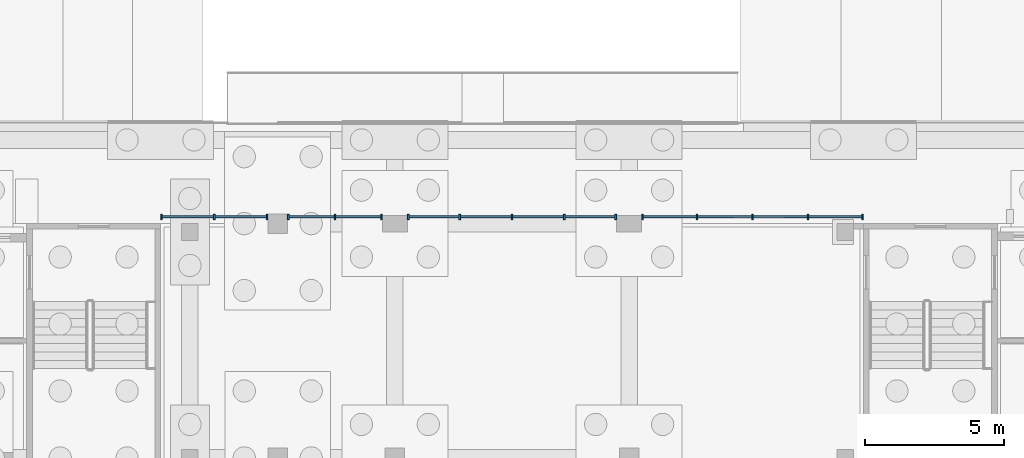
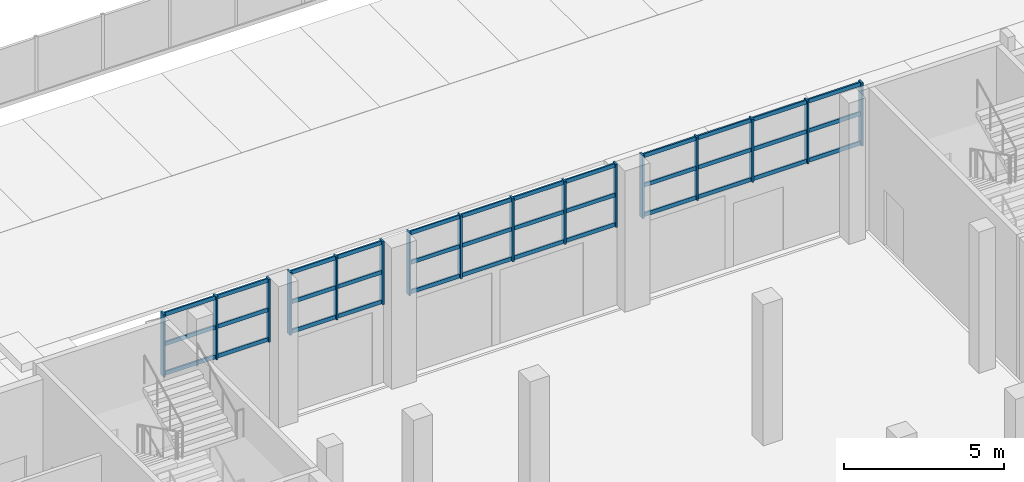
# One storey, part 22 of 129: 52 members, 4 elements without a shape of their own.
"""IFC4 building model written with IfcOpenShell, lengths in metres."""

from ifc_helpers import new_model, si_unit, direction, frame, origin, origin_2d, place, context, subcontext, project, spatial, rectangle, extrude, material, layer, layer_set, material_profile, profile_set, type_object, element, aggregate, save


model = new_model("IFC4")

# Units and contexts
model_context = context("Model", 3, precision=1e-05, world=origin(), true_north=direction((0.0, 1.0)))
body_context = subcontext(model_context, "Body", "Model", "MODEL_VIEW")
ifc_project = project(units=[si_unit("LENGTHUNIT", "METRE"), si_unit("AREAUNIT", "SQUARE_METRE"), si_unit("VOLUMEUNIT", "CUBIC_METRE"), si_unit("PLANEANGLEUNIT", "RADIAN"), si_unit("MASSUNIT", "GRAM", prefix="KILO")], contexts=[model_context])

# Site, building, storey
site_placement = place(None, origin())
site = spatial("IfcSite", under=ifc_project, at=site_placement, CompositionType="ELEMENT")
building_placement = place(site_placement, origin())
building = spatial("IfcBuilding", under=site, at=building_placement, Name="Kiln Court Media Centre", CompositionType="ELEMENT")
storey_placement = place(building_placement, origin())
storey = spatial("IfcBuildingStorey", under=building, at=storey_placement, Name="L00", CompositionType="ELEMENT", Elevation=0.0)

# Curtain wall, members
ifc_material_1 = material(Name="Aluminium 6063-T6", Category="aluminium")
ifc_layer = layer(ifc_material_1, 0.1201171875)
ifc_layer_set = layer_set([ifc_layer], Name="Aluminium stick curtain wall, foyer")
curtain_wall_type = type_object("IfcCurtainWallType", Name="Aluminium stick curtain wall, foyer", PredefinedType="USERDEFINED", material=ifc_layer_set)
curtain_wall_1_placement = place(storey_placement, origin())
curtain_wall_1 = element("IfcCurtainWall", 1, at=curtain_wall_1_placement, inside=storey, type_object=curtain_wall_type, Name="Foyer north glazing L00", ObjectType="STICK CURTAIN WALL", PredefinedType="USERDEFINED")
ifc_material_2 = material(Name="Aluminium 6063-T6", Category="aluminium")
ifc_material_profile_1 = material_profile(ifc_material_2, rectangle(XDim=0.06005859375, YDim=0.199951171875, at=origin_2d()), Name="Aluminium hall mullion 60x200")
ifc_profile_set_1 = profile_set([ifc_material_profile_1], Name="Aluminium 6063-T6")
member_type_1 = type_object("IfcMemberType", Name="Aluminium hall mullion 60x200", PredefinedType="MULLION", material=ifc_profile_set_1)
member_1_placement = place(storey_placement, frame((33.6298828125, 67.444580078125, 3.0), z_axis=(0.0, 0.0, 1.0), x_axis=(1.0, 0.0, 0.0)))
member_1 = element("IfcMember", 2, at=member_1_placement, type_object=member_type_1, Name="CW0-60 mullion 1", PredefinedType="MULLION", context=body_context, shape_type="SweptSolid", body=[
    extrude(rectangle(XDim=0.06005859375, YDim=0.199951171875, at=origin_2d()), origin(), (0.0, 0.0, 1.0), 2.39990234375),
])
member_2_placement = place(storey_placement, frame((35.52490234375, 67.444580078125, 3.0), z_axis=(0.0, 0.0, 1.0), x_axis=(1.0, 0.0, 0.0)))
member_2 = element("IfcMember", 3, at=member_2_placement, type_object=member_type_1, Name="CW0-60 mullion 2", PredefinedType="MULLION", context=body_context, shape_type="SweptSolid", body=[
    extrude(rectangle(XDim=0.06005859375, YDim=0.199951171875, at=origin_2d()), origin(), (0.0, 0.0, 1.0), 2.39990234375),
])
member_3_placement = place(storey_placement, frame((37.419921875, 67.444580078125, 3.0), z_axis=(0.0, 0.0, 1.0), x_axis=(1.0, 0.0, 0.0)))
member_3 = element("IfcMember", 4, at=member_3_placement, type_object=member_type_1, Name="CW0-60 mullion 3", PredefinedType="MULLION", context=body_context, shape_type="SweptSolid", body=[
    extrude(rectangle(XDim=0.06005859375, YDim=0.199951171875, at=origin_2d()), origin(), (0.0, 0.0, 1.0), 2.39990234375),
])

curtain_wall_2_placement = place(storey_placement, origin())
curtain_wall_2 = element("IfcCurtainWall", 5, at=curtain_wall_2_placement, inside=storey, type_object=curtain_wall_type, Name="Foyer north glazing L00", ObjectType="STICK CURTAIN WALL", PredefinedType="USERDEFINED")
member_4_placement = place(storey_placement, frame((38.179931640625, 67.444580078125, 3.0), z_axis=(0.0, 0.0, 1.0), x_axis=(1.0, 0.0, 0.0)))
member_4 = element("IfcMember", 6, at=member_4_placement, type_object=member_type_1, Name="CW0-61 mullion 1", PredefinedType="MULLION", context=body_context, shape_type="SweptSolid", body=[
    extrude(rectangle(XDim=0.06005859375, YDim=0.199951171875, at=origin_2d()), origin(), (0.0, 0.0, 1.0), 2.39990234375),
])
member_5_placement = place(storey_placement, frame((39.85009765625, 67.444580078125, 3.0), z_axis=(0.0, 0.0, 1.0), x_axis=(1.0, 0.0, 0.0)))
member_5 = element("IfcMember", 7, at=member_5_placement, type_object=member_type_1, Name="CW0-61 mullion 2", PredefinedType="MULLION", context=body_context, shape_type="SweptSolid", body=[
    extrude(rectangle(XDim=0.06005859375, YDim=0.199951171875, at=origin_2d()), origin(), (0.0, 0.0, 1.0), 2.39990234375),
])
member_6_placement = place(storey_placement, frame((41.52001953125, 67.444580078125, 3.0), z_axis=(0.0, 0.0, 1.0), x_axis=(1.0, 0.0, 0.0)))
member_6 = element("IfcMember", 8, at=member_6_placement, type_object=member_type_1, Name="CW0-61 mullion 3", PredefinedType="MULLION", context=body_context, shape_type="SweptSolid", body=[
    extrude(rectangle(XDim=0.06005859375, YDim=0.199951171875, at=origin_2d()), origin(), (0.0, 0.0, 1.0), 2.39990234375),
])

curtain_wall_3_placement = place(storey_placement, origin())
curtain_wall_3 = element("IfcCurtainWall", 9, at=curtain_wall_3_placement, inside=storey, type_object=curtain_wall_type, Name="Foyer north glazing L00", ObjectType="STICK CURTAIN WALL", PredefinedType="USERDEFINED")
member_7_placement = place(storey_placement, frame((42.47998046875, 67.444580078125, 3.0), z_axis=(0.0, 0.0, 1.0), x_axis=(1.0, 0.0, 0.0)))
member_7 = element("IfcMember", 10, at=member_7_placement, type_object=member_type_1, Name="CW0-62 mullion 1", PredefinedType="MULLION", context=body_context, shape_type="SweptSolid", body=[
    extrude(rectangle(XDim=0.06005859375, YDim=0.199951171875, at=origin_2d()), origin(), (0.0, 0.0, 1.0), 2.39990234375),
])
member_8_placement = place(storey_placement, frame((44.324951171875, 67.444580078125, 3.0), z_axis=(0.0, 0.0, 1.0), x_axis=(1.0, 0.0, 0.0)))
member_8 = element("IfcMember", 11, at=member_8_placement, type_object=member_type_1, Name="CW0-62 mullion 2", PredefinedType="MULLION", context=body_context, shape_type="SweptSolid", body=[
    extrude(rectangle(XDim=0.06005859375, YDim=0.199951171875, at=origin_2d()), origin(), (0.0, 0.0, 1.0), 2.39990234375),
])
member_9_placement = place(storey_placement, frame((46.199951171875, 67.444580078125, 3.0), z_axis=(0.0, 0.0, 1.0), x_axis=(1.0, 0.0, 0.0)))
member_9 = element("IfcMember", 12, at=member_9_placement, type_object=member_type_1, Name="CW0-62 mullion 3", PredefinedType="MULLION", context=body_context, shape_type="SweptSolid", body=[
    extrude(rectangle(XDim=0.06005859375, YDim=0.199951171875, at=origin_2d()), origin(), (0.0, 0.0, 1.0), 2.39990234375),
])
member_10_placement = place(storey_placement, frame((48.074951171875, 67.444580078125, 3.0), z_axis=(0.0, 0.0, 1.0), x_axis=(1.0, 0.0, 0.0)))
member_10 = element("IfcMember", 13, at=member_10_placement, type_object=member_type_1, Name="CW0-62 mullion 4", PredefinedType="MULLION", context=body_context, shape_type="SweptSolid", body=[
    extrude(rectangle(XDim=0.06005859375, YDim=0.199951171875, at=origin_2d()), origin(), (0.0, 0.0, 1.0), 2.39990234375),
])
member_11_placement = place(storey_placement, frame((49.919921875, 67.444580078125, 3.0), z_axis=(0.0, 0.0, 1.0), x_axis=(1.0, 0.0, 0.0)))
member_11 = element("IfcMember", 14, at=member_11_placement, type_object=member_type_1, Name="CW0-62 mullion 5", PredefinedType="MULLION", context=body_context, shape_type="SweptSolid", body=[
    extrude(rectangle(XDim=0.06005859375, YDim=0.199951171875, at=origin_2d()), origin(), (0.0, 0.0, 1.0), 2.39990234375),
])

curtain_wall_4_placement = place(storey_placement, origin())
curtain_wall_4 = element("IfcCurtainWall", 15, at=curtain_wall_4_placement, inside=storey, type_object=curtain_wall_type, Name="Foyer north glazing L00", ObjectType="STICK CURTAIN WALL", PredefinedType="USERDEFINED")
member_12_placement = place(storey_placement, frame((50.8798828125, 67.444580078125, 3.0), z_axis=(0.0, 0.0, 1.0), x_axis=(1.0, 0.0, 0.0)))
member_12 = element("IfcMember", 16, at=member_12_placement, type_object=member_type_1, Name="CW0-63 mullion 1", PredefinedType="MULLION", context=body_context, shape_type="SweptSolid", body=[
    extrude(rectangle(XDim=0.06005859375, YDim=0.199951171875, at=origin_2d()), origin(), (0.0, 0.0, 1.0), 2.39990234375),
])
member_13_placement = place(storey_placement, frame((52.83740234375, 67.444580078125, 3.0), z_axis=(0.0, 0.0, 1.0), x_axis=(1.0, 0.0, 0.0)))
member_13 = element("IfcMember", 17, at=member_13_placement, type_object=member_type_1, Name="CW0-63 mullion 2", PredefinedType="MULLION", context=body_context, shape_type="SweptSolid", body=[
    extrude(rectangle(XDim=0.06005859375, YDim=0.199951171875, at=origin_2d()), origin(), (0.0, 0.0, 1.0), 2.39990234375),
])
member_14_placement = place(storey_placement, frame((54.824951171875, 67.444580078125, 3.0), z_axis=(0.0, 0.0, 1.0), x_axis=(1.0, 0.0, 0.0)))
member_14 = element("IfcMember", 18, at=member_14_placement, type_object=member_type_1, Name="CW0-63 mullion 3", PredefinedType="MULLION", context=body_context, shape_type="SweptSolid", body=[
    extrude(rectangle(XDim=0.06005859375, YDim=0.199951171875, at=origin_2d()), origin(), (0.0, 0.0, 1.0), 2.39990234375),
])
member_15_placement = place(storey_placement, frame((56.8125, 67.444580078125, 3.0), z_axis=(0.0, 0.0, 1.0), x_axis=(1.0, 0.0, 0.0)))
member_15 = element("IfcMember", 19, at=member_15_placement, type_object=member_type_1, Name="CW0-63 mullion 4", PredefinedType="MULLION", context=body_context, shape_type="SweptSolid", body=[
    extrude(rectangle(XDim=0.06005859375, YDim=0.199951171875, at=origin_2d()), origin(), (0.0, 0.0, 1.0), 2.39990234375),
])
member_16_placement = place(storey_placement, frame((58.77001953125, 67.444580078125, 3.0), z_axis=(0.0, 0.0, 1.0), x_axis=(1.0, 0.0, 0.0)))
member_16 = element("IfcMember", 20, at=member_16_placement, type_object=member_type_1, Name="CW0-63 mullion 5", PredefinedType="MULLION", context=body_context, shape_type="SweptSolid", body=[
    extrude(rectangle(XDim=0.06005859375, YDim=0.199951171875, at=origin_2d()), origin(), (0.0, 0.0, 1.0), 2.39990234375),
])

# Member
ifc_material_3 = material(Name="Aluminium 6063-T6", Category="aluminium")
ifc_material_profile_2 = material_profile(ifc_material_3, rectangle(XDim=0.06005859375, YDim=0.14990234375, at=origin_2d()), Name="Aluminium hall transom 60x150")
ifc_profile_set_2 = profile_set([ifc_material_profile_2], Name="Aluminium 6063-T6")
member_type_2 = type_object("IfcMemberType", Name="Aluminium hall transom 60x150", PredefinedType="USERDEFINED", material=ifc_profile_set_2)
member_17_placement = place(storey_placement, frame((33.659912109375, 67.444580078125, 3.074951171875), z_axis=(1.0, 0.0, 0.0), x_axis=(0.0, 1.0, 0.0)))
member_17 = element("IfcMember", 21, at=member_17_placement, type_object=member_type_2, Name="CW0-60 transom 1.1", ObjectType="TRANSOM", PredefinedType="USERDEFINED", context=body_context, shape_type="SweptSolid", body=[
    extrude(rectangle(XDim=0.06005859375, YDim=0.14990234375, at=origin_2d()), origin(), (0.0, 0.0, 1.0), 1.835205078125),
])

member_18_placement = place(storey_placement, frame((33.659912109375, 67.444580078125, 4.199951171875), z_axis=(1.0, 0.0, 0.0), x_axis=(0.0, 1.0, 0.0)))
member_18 = element("IfcMember", 22, at=member_18_placement, type_object=member_type_2, Name="CW0-60 transom 1.2", ObjectType="TRANSOM", PredefinedType="USERDEFINED", context=body_context, shape_type="SweptSolid", body=[
    extrude(rectangle(XDim=0.06005859375, YDim=0.14990234375, at=origin_2d()), origin(), (0.0, 0.0, 1.0), 1.835205078125),
])

member_19_placement = place(storey_placement, frame((33.659912109375, 67.444580078125, 5.324951171875), z_axis=(1.0, 0.0, 0.0), x_axis=(0.0, 1.0, 0.0)))
member_19 = element("IfcMember", 23, at=member_19_placement, type_object=member_type_2, Name="CW0-60 transom 1.3", ObjectType="TRANSOM", PredefinedType="USERDEFINED", context=body_context, shape_type="SweptSolid", body=[
    extrude(rectangle(XDim=0.06005859375, YDim=0.14990234375, at=origin_2d()), origin(), (0.0, 0.0, 1.0), 1.835205078125),
])

member_20_placement = place(storey_placement, frame((35.554931640625, 67.444580078125, 3.074951171875), z_axis=(1.0, 0.0, 0.0), x_axis=(0.0, 1.0, 0.0)))
member_20 = element("IfcMember", 24, at=member_20_placement, type_object=member_type_2, Name="CW0-60 transom 2.1", ObjectType="TRANSOM", PredefinedType="USERDEFINED", context=body_context, shape_type="SweptSolid", body=[
    extrude(rectangle(XDim=0.06005859375, YDim=0.14990234375, at=origin_2d()), origin(), (0.0, 0.0, 1.0), 1.8349609375),
])

member_21_placement = place(storey_placement, frame((35.554931640625, 67.444580078125, 4.199951171875), z_axis=(1.0, 0.0, 0.0), x_axis=(0.0, 1.0, 0.0)))
member_21 = element("IfcMember", 25, at=member_21_placement, type_object=member_type_2, Name="CW0-60 transom 2.2", ObjectType="TRANSOM", PredefinedType="USERDEFINED", context=body_context, shape_type="SweptSolid", body=[
    extrude(rectangle(XDim=0.06005859375, YDim=0.14990234375, at=origin_2d()), origin(), (0.0, 0.0, 1.0), 1.8349609375),
])

member_22_placement = place(storey_placement, frame((35.554931640625, 67.444580078125, 5.324951171875), z_axis=(1.0, 0.0, 0.0), x_axis=(0.0, 1.0, 0.0)))
member_22 = element("IfcMember", 26, at=member_22_placement, type_object=member_type_2, Name="CW0-60 transom 2.3", ObjectType="TRANSOM", PredefinedType="USERDEFINED", context=body_context, shape_type="SweptSolid", body=[
    extrude(rectangle(XDim=0.06005859375, YDim=0.14990234375, at=origin_2d()), origin(), (0.0, 0.0, 1.0), 1.8349609375),
])

aggregate(curtain_wall_1, [member_1, member_2, member_3, member_17, member_18, member_19, member_20, member_21, member_22])

member_23_placement = place(storey_placement, frame((38.2099609375, 67.444580078125, 3.074951171875), z_axis=(1.0, 0.0, 0.0), x_axis=(0.0, 1.0, 0.0)))
member_23 = element("IfcMember", 27, at=member_23_placement, type_object=member_type_2, Name="CW0-61 transom 1.1", ObjectType="TRANSOM", PredefinedType="USERDEFINED", context=body_context, shape_type="SweptSolid", body=[
    extrude(rectangle(XDim=0.06005859375, YDim=0.14990234375, at=origin_2d()), origin(), (0.0, 0.0, 1.0), 1.610107421875),
])

member_24_placement = place(storey_placement, frame((38.2099609375, 67.444580078125, 4.199951171875), z_axis=(1.0, 0.0, 0.0), x_axis=(0.0, 1.0, 0.0)))
member_24 = element("IfcMember", 28, at=member_24_placement, type_object=member_type_2, Name="CW0-61 transom 1.2", ObjectType="TRANSOM", PredefinedType="USERDEFINED", context=body_context, shape_type="SweptSolid", body=[
    extrude(rectangle(XDim=0.06005859375, YDim=0.14990234375, at=origin_2d()), origin(), (0.0, 0.0, 1.0), 1.610107421875),
])

member_25_placement = place(storey_placement, frame((38.2099609375, 67.444580078125, 5.324951171875), z_axis=(1.0, 0.0, 0.0), x_axis=(0.0, 1.0, 0.0)))
member_25 = element("IfcMember", 29, at=member_25_placement, type_object=member_type_2, Name="CW0-61 transom 1.3", ObjectType="TRANSOM", PredefinedType="USERDEFINED", context=body_context, shape_type="SweptSolid", body=[
    extrude(rectangle(XDim=0.06005859375, YDim=0.14990234375, at=origin_2d()), origin(), (0.0, 0.0, 1.0), 1.610107421875),
])

member_26_placement = place(storey_placement, frame((39.8798828125, 67.444580078125, 3.074951171875), z_axis=(1.0, 0.0, 0.0), x_axis=(0.0, 1.0, 0.0)))
member_26 = element("IfcMember", 30, at=member_26_placement, type_object=member_type_2, Name="CW0-61 transom 2.1", ObjectType="TRANSOM", PredefinedType="USERDEFINED", context=body_context, shape_type="SweptSolid", body=[
    extrude(rectangle(XDim=0.06005859375, YDim=0.14990234375, at=origin_2d()), origin(), (0.0, 0.0, 1.0), 1.610107421875),
])

member_27_placement = place(storey_placement, frame((39.8798828125, 67.444580078125, 4.199951171875), z_axis=(1.0, 0.0, 0.0), x_axis=(0.0, 1.0, 0.0)))
member_27 = element("IfcMember", 31, at=member_27_placement, type_object=member_type_2, Name="CW0-61 transom 2.2", ObjectType="TRANSOM", PredefinedType="USERDEFINED", context=body_context, shape_type="SweptSolid", body=[
    extrude(rectangle(XDim=0.06005859375, YDim=0.14990234375, at=origin_2d()), origin(), (0.0, 0.0, 1.0), 1.610107421875),
])

member_28_placement = place(storey_placement, frame((39.8798828125, 67.444580078125, 5.324951171875), z_axis=(1.0, 0.0, 0.0), x_axis=(0.0, 1.0, 0.0)))
member_28 = element("IfcMember", 32, at=member_28_placement, type_object=member_type_2, Name="CW0-61 transom 2.3", ObjectType="TRANSOM", PredefinedType="USERDEFINED", context=body_context, shape_type="SweptSolid", body=[
    extrude(rectangle(XDim=0.06005859375, YDim=0.14990234375, at=origin_2d()), origin(), (0.0, 0.0, 1.0), 1.610107421875),
])

aggregate(curtain_wall_2, [member_4, member_5, member_6, member_23, member_24, member_25, member_26, member_27, member_28])

member_29_placement = place(storey_placement, frame((42.510009765625, 67.444580078125, 3.074951171875), z_axis=(1.0, 0.0, 0.0), x_axis=(0.0, 1.0, 0.0)))
member_29 = element("IfcMember", 33, at=member_29_placement, type_object=member_type_2, Name="CW0-62 transom 1.1", ObjectType="TRANSOM", PredefinedType="USERDEFINED", context=body_context, shape_type="SweptSolid", body=[
    extrude(rectangle(XDim=0.06005859375, YDim=0.14990234375, at=origin_2d()), origin(), (0.0, 0.0, 1.0), 1.784912109375),
])

member_30_placement = place(storey_placement, frame((42.510009765625, 67.444580078125, 4.199951171875), z_axis=(1.0, 0.0, 0.0), x_axis=(0.0, 1.0, 0.0)))
member_30 = element("IfcMember", 34, at=member_30_placement, type_object=member_type_2, Name="CW0-62 transom 1.2", ObjectType="TRANSOM", PredefinedType="USERDEFINED", context=body_context, shape_type="SweptSolid", body=[
    extrude(rectangle(XDim=0.06005859375, YDim=0.14990234375, at=origin_2d()), origin(), (0.0, 0.0, 1.0), 1.784912109375),
])

member_31_placement = place(storey_placement, frame((42.510009765625, 67.444580078125, 5.324951171875), z_axis=(1.0, 0.0, 0.0), x_axis=(0.0, 1.0, 0.0)))
member_31 = element("IfcMember", 35, at=member_31_placement, type_object=member_type_2, Name="CW0-62 transom 1.3", ObjectType="TRANSOM", PredefinedType="USERDEFINED", context=body_context, shape_type="SweptSolid", body=[
    extrude(rectangle(XDim=0.06005859375, YDim=0.14990234375, at=origin_2d()), origin(), (0.0, 0.0, 1.0), 1.784912109375),
])

member_32_placement = place(storey_placement, frame((44.35498046875, 67.444580078125, 3.074951171875), z_axis=(1.0, 0.0, 0.0), x_axis=(0.0, 1.0, 0.0)))
member_32 = element("IfcMember", 36, at=member_32_placement, type_object=member_type_2, Name="CW0-62 transom 2.1", ObjectType="TRANSOM", PredefinedType="USERDEFINED", context=body_context, shape_type="SweptSolid", body=[
    extrude(rectangle(XDim=0.06005859375, YDim=0.14990234375, at=origin_2d()), origin(), (0.0, 0.0, 1.0), 1.81494140625),
])

member_33_placement = place(storey_placement, frame((44.35498046875, 67.444580078125, 4.199951171875), z_axis=(1.0, 0.0, 0.0), x_axis=(0.0, 1.0, 0.0)))
member_33 = element("IfcMember", 37, at=member_33_placement, type_object=member_type_2, Name="CW0-62 transom 2.2", ObjectType="TRANSOM", PredefinedType="USERDEFINED", context=body_context, shape_type="SweptSolid", body=[
    extrude(rectangle(XDim=0.06005859375, YDim=0.14990234375, at=origin_2d()), origin(), (0.0, 0.0, 1.0), 1.81494140625),
])

member_34_placement = place(storey_placement, frame((44.35498046875, 67.444580078125, 5.324951171875), z_axis=(1.0, 0.0, 0.0), x_axis=(0.0, 1.0, 0.0)))
member_34 = element("IfcMember", 38, at=member_34_placement, type_object=member_type_2, Name="CW0-62 transom 2.3", ObjectType="TRANSOM", PredefinedType="USERDEFINED", context=body_context, shape_type="SweptSolid", body=[
    extrude(rectangle(XDim=0.06005859375, YDim=0.14990234375, at=origin_2d()), origin(), (0.0, 0.0, 1.0), 1.81494140625),
])

member_35_placement = place(storey_placement, frame((46.22998046875, 67.444580078125, 3.074951171875), z_axis=(1.0, 0.0, 0.0), x_axis=(0.0, 1.0, 0.0)))
member_35 = element("IfcMember", 39, at=member_35_placement, type_object=member_type_2, Name="CW0-62 transom 3.1", ObjectType="TRANSOM", PredefinedType="USERDEFINED", context=body_context, shape_type="SweptSolid", body=[
    extrude(rectangle(XDim=0.06005859375, YDim=0.14990234375, at=origin_2d()), origin(), (0.0, 0.0, 1.0), 1.81494140625),
])

member_36_placement = place(storey_placement, frame((46.22998046875, 67.444580078125, 4.199951171875), z_axis=(1.0, 0.0, 0.0), x_axis=(0.0, 1.0, 0.0)))
member_36 = element("IfcMember", 40, at=member_36_placement, type_object=member_type_2, Name="CW0-62 transom 3.2", ObjectType="TRANSOM", PredefinedType="USERDEFINED", context=body_context, shape_type="SweptSolid", body=[
    extrude(rectangle(XDim=0.06005859375, YDim=0.14990234375, at=origin_2d()), origin(), (0.0, 0.0, 1.0), 1.81494140625),
])

member_37_placement = place(storey_placement, frame((46.22998046875, 67.444580078125, 5.324951171875), z_axis=(1.0, 0.0, 0.0), x_axis=(0.0, 1.0, 0.0)))
member_37 = element("IfcMember", 41, at=member_37_placement, type_object=member_type_2, Name="CW0-62 transom 3.3", ObjectType="TRANSOM", PredefinedType="USERDEFINED", context=body_context, shape_type="SweptSolid", body=[
    extrude(rectangle(XDim=0.06005859375, YDim=0.14990234375, at=origin_2d()), origin(), (0.0, 0.0, 1.0), 1.81494140625),
])

member_38_placement = place(storey_placement, frame((48.10498046875, 67.444580078125, 3.074951171875), z_axis=(1.0, 0.0, 0.0), x_axis=(0.0, 1.0, 0.0)))
member_38 = element("IfcMember", 42, at=member_38_placement, type_object=member_type_2, Name="CW0-62 transom 4.1", ObjectType="TRANSOM", PredefinedType="USERDEFINED", context=body_context, shape_type="SweptSolid", body=[
    extrude(rectangle(XDim=0.06005859375, YDim=0.14990234375, at=origin_2d()), origin(), (0.0, 0.0, 1.0), 1.784912109375),
])

member_39_placement = place(storey_placement, frame((48.10498046875, 67.444580078125, 4.199951171875), z_axis=(1.0, 0.0, 0.0), x_axis=(0.0, 1.0, 0.0)))
member_39 = element("IfcMember", 43, at=member_39_placement, type_object=member_type_2, Name="CW0-62 transom 4.2", ObjectType="TRANSOM", PredefinedType="USERDEFINED", context=body_context, shape_type="SweptSolid", body=[
    extrude(rectangle(XDim=0.06005859375, YDim=0.14990234375, at=origin_2d()), origin(), (0.0, 0.0, 1.0), 1.784912109375),
])

member_40_placement = place(storey_placement, frame((48.10498046875, 67.444580078125, 5.324951171875), z_axis=(1.0, 0.0, 0.0), x_axis=(0.0, 1.0, 0.0)))
member_40 = element("IfcMember", 44, at=member_40_placement, type_object=member_type_2, Name="CW0-62 transom 4.3", ObjectType="TRANSOM", PredefinedType="USERDEFINED", context=body_context, shape_type="SweptSolid", body=[
    extrude(rectangle(XDim=0.06005859375, YDim=0.14990234375, at=origin_2d()), origin(), (0.0, 0.0, 1.0), 1.784912109375),
])

aggregate(curtain_wall_3, [member_7, member_8, member_9, member_10, member_11, member_29, member_30, member_31, member_32, member_33, member_34, member_35, member_36, member_37, member_38, member_39, member_40])

member_41_placement = place(storey_placement, frame((50.909912109375, 67.444580078125, 3.074951171875), z_axis=(1.0, 0.0, 0.0), x_axis=(0.0, 1.0, 0.0)))
member_41 = element("IfcMember", 45, at=member_41_placement, type_object=member_type_2, Name="CW0-63 transom 1.1", ObjectType="TRANSOM", PredefinedType="USERDEFINED", context=body_context, shape_type="SweptSolid", body=[
    extrude(rectangle(XDim=0.06005859375, YDim=0.14990234375, at=origin_2d()), origin(), (0.0, 0.0, 1.0), 1.897705078125),
])

member_42_placement = place(storey_placement, frame((50.909912109375, 67.444580078125, 4.199951171875), z_axis=(1.0, 0.0, 0.0), x_axis=(0.0, 1.0, 0.0)))
member_42 = element("IfcMember", 46, at=member_42_placement, type_object=member_type_2, Name="CW0-63 transom 1.2", ObjectType="TRANSOM", PredefinedType="USERDEFINED", context=body_context, shape_type="SweptSolid", body=[
    extrude(rectangle(XDim=0.06005859375, YDim=0.14990234375, at=origin_2d()), origin(), (0.0, 0.0, 1.0), 1.897705078125),
])

member_43_placement = place(storey_placement, frame((50.909912109375, 67.444580078125, 5.324951171875), z_axis=(1.0, 0.0, 0.0), x_axis=(0.0, 1.0, 0.0)))
member_43 = element("IfcMember", 47, at=member_43_placement, type_object=member_type_2, Name="CW0-63 transom 1.3", ObjectType="TRANSOM", PredefinedType="USERDEFINED", context=body_context, shape_type="SweptSolid", body=[
    extrude(rectangle(XDim=0.06005859375, YDim=0.14990234375, at=origin_2d()), origin(), (0.0, 0.0, 1.0), 1.897705078125),
])

member_44_placement = place(storey_placement, frame((52.867431640625, 67.444580078125, 3.074951171875), z_axis=(1.0, 0.0, 0.0), x_axis=(0.0, 1.0, 0.0)))
member_44 = element("IfcMember", 48, at=member_44_placement, type_object=member_type_2, Name="CW0-63 transom 2.1", ObjectType="TRANSOM", PredefinedType="USERDEFINED", context=body_context, shape_type="SweptSolid", body=[
    extrude(rectangle(XDim=0.06005859375, YDim=0.14990234375, at=origin_2d()), origin(), (0.0, 0.0, 1.0), 1.927490234375),
])

member_45_placement = place(storey_placement, frame((52.867431640625, 67.444580078125, 4.199951171875), z_axis=(1.0, 0.0, 0.0), x_axis=(0.0, 1.0, 0.0)))
member_45 = element("IfcMember", 49, at=member_45_placement, type_object=member_type_2, Name="CW0-63 transom 2.2", ObjectType="TRANSOM", PredefinedType="USERDEFINED", context=body_context, shape_type="SweptSolid", body=[
    extrude(rectangle(XDim=0.06005859375, YDim=0.14990234375, at=origin_2d()), origin(), (0.0, 0.0, 1.0), 1.927490234375),
])

member_46_placement = place(storey_placement, frame((52.867431640625, 67.444580078125, 5.324951171875), z_axis=(1.0, 0.0, 0.0), x_axis=(0.0, 1.0, 0.0)))
member_46 = element("IfcMember", 50, at=member_46_placement, type_object=member_type_2, Name="CW0-63 transom 2.3", ObjectType="TRANSOM", PredefinedType="USERDEFINED", context=body_context, shape_type="SweptSolid", body=[
    extrude(rectangle(XDim=0.06005859375, YDim=0.14990234375, at=origin_2d()), origin(), (0.0, 0.0, 1.0), 1.927490234375),
])

member_47_placement = place(storey_placement, frame((54.85498046875, 67.444580078125, 3.074951171875), z_axis=(1.0, 0.0, 0.0), x_axis=(0.0, 1.0, 0.0)))
member_47 = element("IfcMember", 51, at=member_47_placement, type_object=member_type_2, Name="CW0-63 transom 3.1", ObjectType="TRANSOM", PredefinedType="USERDEFINED", context=body_context, shape_type="SweptSolid", body=[
    extrude(rectangle(XDim=0.06005859375, YDim=0.14990234375, at=origin_2d()), origin(), (0.0, 0.0, 1.0), 1.927490234375),
])

member_48_placement = place(storey_placement, frame((54.85498046875, 67.444580078125, 4.199951171875), z_axis=(1.0, 0.0, 0.0), x_axis=(0.0, 1.0, 0.0)))
member_48 = element("IfcMember", 52, at=member_48_placement, type_object=member_type_2, Name="CW0-63 transom 3.2", ObjectType="TRANSOM", PredefinedType="USERDEFINED", context=body_context, shape_type="SweptSolid", body=[
    extrude(rectangle(XDim=0.06005859375, YDim=0.14990234375, at=origin_2d()), origin(), (0.0, 0.0, 1.0), 1.927490234375),
])

member_49_placement = place(storey_placement, frame((54.85498046875, 67.444580078125, 5.324951171875), z_axis=(1.0, 0.0, 0.0), x_axis=(0.0, 1.0, 0.0)))
member_49 = element("IfcMember", 53, at=member_49_placement, type_object=member_type_2, Name="CW0-63 transom 3.3", ObjectType="TRANSOM", PredefinedType="USERDEFINED", context=body_context, shape_type="SweptSolid", body=[
    extrude(rectangle(XDim=0.06005859375, YDim=0.14990234375, at=origin_2d()), origin(), (0.0, 0.0, 1.0), 1.927490234375),
])

member_50_placement = place(storey_placement, frame((56.842529296875, 67.444580078125, 3.074951171875), z_axis=(1.0, 0.0, 0.0), x_axis=(0.0, 1.0, 0.0)))
member_50 = element("IfcMember", 54, at=member_50_placement, type_object=member_type_2, Name="CW0-63 transom 4.1", ObjectType="TRANSOM", PredefinedType="USERDEFINED", context=body_context, shape_type="SweptSolid", body=[
    extrude(rectangle(XDim=0.06005859375, YDim=0.14990234375, at=origin_2d()), origin(), (0.0, 0.0, 1.0), 1.8974609375),
])

member_51_placement = place(storey_placement, frame((56.842529296875, 67.444580078125, 4.199951171875), z_axis=(1.0, 0.0, 0.0), x_axis=(0.0, 1.0, 0.0)))
member_51 = element("IfcMember", 55, at=member_51_placement, type_object=member_type_2, Name="CW0-63 transom 4.2", ObjectType="TRANSOM", PredefinedType="USERDEFINED", context=body_context, shape_type="SweptSolid", body=[
    extrude(rectangle(XDim=0.06005859375, YDim=0.14990234375, at=origin_2d()), origin(), (0.0, 0.0, 1.0), 1.8974609375),
])

member_52_placement = place(storey_placement, frame((56.842529296875, 67.444580078125, 5.324951171875), z_axis=(1.0, 0.0, 0.0), x_axis=(0.0, 1.0, 0.0)))
member_52 = element("IfcMember", 56, at=member_52_placement, type_object=member_type_2, Name="CW0-63 transom 4.3", ObjectType="TRANSOM", PredefinedType="USERDEFINED", context=body_context, shape_type="SweptSolid", body=[
    extrude(rectangle(XDim=0.06005859375, YDim=0.14990234375, at=origin_2d()), origin(), (0.0, 0.0, 1.0), 1.8974609375),
])

aggregate(curtain_wall_4, [member_12, member_13, member_14, member_15, member_16, member_41, member_42, member_43, member_44, member_45, member_46, member_47, member_48, member_49, member_50, member_51, member_52])

save(model, "model.ifc")
